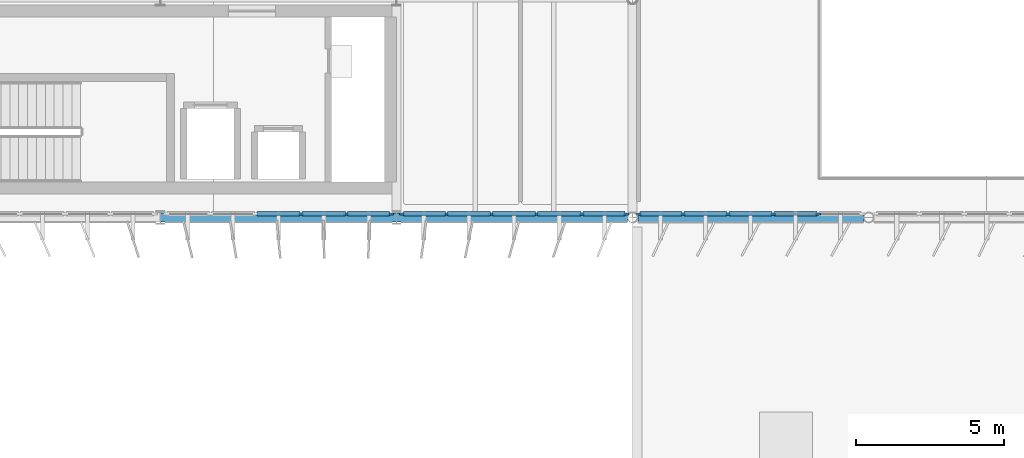
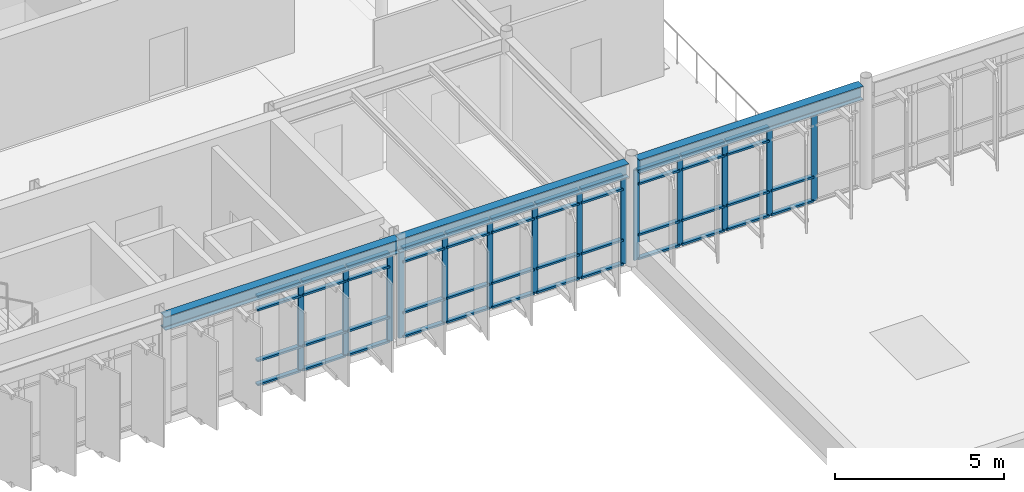
# One storey, part 13 of 56: 60 members, 3 beams, 3 elements without a shape of their own.
"""IFC4 building model written with IfcOpenShell, lengths in metres."""

from ifc_helpers import new_model, si_unit, direction, frame, origin, origin_2d, place, context, subcontext, project, spatial, rectangle, i_section, extrude, material, layer, layer_set, material_profile, profile_set, type_object, element, aggregate, save


model = new_model("IFC4")

# Units and contexts
model_context = context("Model", 3, precision=1e-05, world=origin(), true_north=direction((0.0, 1.0)))
body_context = subcontext(model_context, "Body", "Model", "MODEL_VIEW")
ifc_project = project(units=[si_unit("LENGTHUNIT", "METRE"), si_unit("AREAUNIT", "SQUARE_METRE"), si_unit("VOLUMEUNIT", "CUBIC_METRE"), si_unit("PLANEANGLEUNIT", "RADIAN"), si_unit("MASSUNIT", "GRAM", prefix="KILO")], contexts=[model_context])

# Site, building, storey
site_placement = place(None, origin())
site = spatial("IfcSite", under=ifc_project, at=site_placement, CompositionType="ELEMENT")
building_placement = place(site_placement, origin())
building = spatial("IfcBuilding", under=site, at=building_placement, Name="Valkorina Park Police Headquarters", CompositionType="ELEMENT")
storey_placement = place(building_placement, frame((0.0, 0.0, 14.10009765625)))
storey = spatial("IfcBuildingStorey", under=building, at=storey_placement, Name="L04", CompositionType="ELEMENT", Elevation=14.10009765625)

# Beams
ifc_material_1 = material(Name="Steel S355", Category="steel")
ifc_material_profile_1 = material_profile(ifc_material_1, i_section(OverallWidth=0.300048828125, OverallDepth=0.489990234375, WebThickness=0.011962890625, FlangeThickness=0.02294921875, FilletRadius=0.027099609375, at=origin_2d()), Name="HEA 500")
ifc_profile_set_1 = profile_set([ifc_material_profile_1], Name="Steel S355")
beam_type = type_object("IfcBeamType", Name="BM-S355-HEA500-SPN", PredefinedType="SPANDREL", material=ifc_profile_set_1)
beam_1_placement = place(storey_placement, frame((40.806884765625, 37.0, 3.510009765625), z_axis=(1.0, 0.0, 0.0), x_axis=(0.0, 1.0, 0.0)))
element("IfcBeam", 1, at=beam_1_placement, inside=storey, type_object=beam_type, Name="L04 Framing Beam 2219", PredefinedType="SPANDREL", context=body_context, shape_type="SweptSolid", body=[
    extrude(i_section(OverallWidth=0.300048828125, OverallDepth=0.489990234375, WebThickness=0.011962890625, FlangeThickness=0.02294921875, FilletRadius=0.027099609375, at=origin_2d()), origin(), (0.0, 0.0, 1.0), 7.986083984375),
])
beam_2_placement = place(storey_placement, frame((48.806884765625, 37.0, 3.510009765625), z_axis=(1.0, 0.0, 0.0), x_axis=(0.0, 1.0, 0.0)))
element("IfcBeam", 2, at=beam_2_placement, inside=storey, type_object=beam_type, Name="L04 Framing Beam 2220", PredefinedType="SPANDREL", context=body_context, shape_type="SweptSolid", body=[
    extrude(i_section(OverallWidth=0.300048828125, OverallDepth=0.489990234375, WebThickness=0.011962890625, FlangeThickness=0.02294921875, FilletRadius=0.027099609375, at=origin_2d()), origin(), (0.0, 0.0, 1.0), 7.8154296875),
])
beam_3_placement = place(storey_placement, frame((56.977783203125, 37.0, 3.510009765625), z_axis=(1.0, 0.0, 0.0), x_axis=(0.0, 1.0, 0.0)))
element("IfcBeam", 3, at=beam_3_placement, inside=storey, type_object=beam_type, Name="L04 Framing Beam 2221", PredefinedType="SPANDREL", context=body_context, shape_type="SweptSolid", body=[
    extrude(i_section(OverallWidth=0.300048828125, OverallDepth=0.489990234375, WebThickness=0.011962890625, FlangeThickness=0.02294921875, FilletRadius=0.027099609375, at=origin_2d()), origin(), (0.0, 0.0, 1.0), 7.64453125),
])

# Curtain wall, members
ifc_material_2 = material(Name="Thermally broken aluminium AW-6060", Category="aluminium")
ifc_layer_1 = layer(ifc_material_2, 0.18994140625)
ifc_layer_set_1 = layer_set([ifc_layer_1], Name="Thermally broken aluminium AW-6060")
curtain_wall_type_1 = type_object("IfcCurtainWallType", Name="CW-V5-7620x3260", PredefinedType="NOTDEFINED", material=ifc_layer_set_1)
curtain_wall_1_placement = place(storey_placement, origin())
curtain_wall_1 = element("IfcCurtainWall", 4, at=curtain_wall_1_placement, inside=storey, type_object=curtain_wall_type_1, Name="L04 Unitised Curtain Wall 050", PredefinedType="NOTDEFINED")
ifc_material_profile_2 = material_profile(ifc_material_2, rectangle(XDim=0.070068359375, YDim=0.18994140625, at=origin_2d()), Name="CWM-02 70x190")
ifc_profile_set_2 = profile_set([ifc_material_profile_2], Name="Thermally broken aluminium AW-6060")
member_type_1 = type_object("IfcMemberType", Name="CWM-70x190", PredefinedType="MULLION", material=ifc_profile_set_2)
member_1_placement = place(storey_placement, frame((63.08740234375, 37.1201171875, 0.0), z_axis=(0.0, 0.0, 1.0), x_axis=(0.0, -1.0, 0.0)))
member_1 = element("IfcMember", 5, at=member_1_placement, type_object=member_type_1, Name="CW-V5-762-326 mullion 2", PredefinedType="MULLION", context=body_context, shape_type="SweptSolid", body=[
    extrude(rectangle(XDim=0.070068359375, YDim=0.18994140625, at=origin_2d()), origin(), (0.0, 0.0, 1.0), 3.2548828125),
])
member_2_placement = place(storey_placement, frame((61.5625, 37.1201171875, 0.0), z_axis=(0.0, 0.0, 1.0), x_axis=(0.0, -1.0, 0.0)))
member_2 = element("IfcMember", 6, at=member_2_placement, type_object=member_type_1, Name="CW-V5-762-326 mullion 3", PredefinedType="MULLION", context=body_context, shape_type="SweptSolid", body=[
    extrude(rectangle(XDim=0.070068359375, YDim=0.18994140625, at=origin_2d()), origin(), (0.0, 0.0, 1.0), 3.2548828125),
])
member_3_placement = place(storey_placement, frame((60.03759765625, 37.1201171875, 0.0), z_axis=(0.0, 0.0, 1.0), x_axis=(0.0, -1.0, 0.0)))
member_3 = element("IfcMember", 7, at=member_3_placement, type_object=member_type_1, Name="CW-V5-762-326 mullion 4", PredefinedType="MULLION", context=body_context, shape_type="SweptSolid", body=[
    extrude(rectangle(XDim=0.070068359375, YDim=0.18994140625, at=origin_2d()), origin(), (0.0, 0.0, 1.0), 3.2548828125),
])
member_4_placement = place(storey_placement, frame((58.5126953125, 37.1201171875, 0.0), z_axis=(0.0, 0.0, 1.0), x_axis=(0.0, -1.0, 0.0)))
member_4 = element("IfcMember", 8, at=member_4_placement, type_object=member_type_1, Name="CW-V5-762-326 mullion 5", PredefinedType="MULLION", context=body_context, shape_type="SweptSolid", body=[
    extrude(rectangle(XDim=0.070068359375, YDim=0.18994140625, at=origin_2d()), origin(), (0.0, 0.0, 1.0), 3.2548828125),
])
member_5_placement = place(storey_placement, frame((57.022705078125, 37.1201171875, 0.0), z_axis=(0.0, 0.0, 1.0), x_axis=(0.0, -1.0, 0.0)))
member_5 = element("IfcMember", 9, at=member_5_placement, type_object=member_type_1, Name="CW-V5-762-326 mullion 6", PredefinedType="MULLION", context=body_context, shape_type="SweptSolid", body=[
    extrude(rectangle(XDim=0.070068359375, YDim=0.18994140625, at=origin_2d()), origin(), (0.0, 0.0, 1.0), 3.2548828125),
])

ifc_layer_2 = layer(ifc_material_2, 0.18994140625)
ifc_layer_set_2 = layer_set([ifc_layer_2], Name="Thermally broken aluminium AW-6060")
curtain_wall_type_2 = type_object("IfcCurtainWallType", Name="CW-V5-7650x3260", PredefinedType="NOTDEFINED", material=ifc_layer_set_2)
curtain_wall_2_placement = place(storey_placement, origin())
curtain_wall_2 = element("IfcCurtainWall", 10, at=curtain_wall_2_placement, inside=storey, type_object=curtain_wall_type_2, Name="L04 Unitised Curtain Wall 051", PredefinedType="NOTDEFINED")
member_6_placement = place(storey_placement, frame((56.5771484375, 37.1201171875, 0.0), z_axis=(0.0, 0.0, 1.0), x_axis=(0.0, -1.0, 0.0)))
member_6 = element("IfcMember", 11, at=member_6_placement, type_object=member_type_1, Name="CW-V5-765-326 mullion 1", PredefinedType="MULLION", context=body_context, shape_type="SweptSolid", body=[
    extrude(rectangle(XDim=0.070068359375, YDim=0.18994140625, at=origin_2d()), origin(), (0.0, 0.0, 1.0), 3.2548828125),
])
member_7_placement = place(storey_placement, frame((55.081787109375, 37.1201171875, 0.0), z_axis=(0.0, 0.0, 1.0), x_axis=(0.0, -1.0, 0.0)))
member_7 = element("IfcMember", 12, at=member_7_placement, type_object=member_type_1, Name="CW-V5-765-326 mullion 2", PredefinedType="MULLION", context=body_context, shape_type="SweptSolid", body=[
    extrude(rectangle(XDim=0.070068359375, YDim=0.18994140625, at=origin_2d()), origin(), (0.0, 0.0, 1.0), 3.2548828125),
])
member_8_placement = place(storey_placement, frame((53.55126953125, 37.1201171875, 0.0), z_axis=(0.0, 0.0, 1.0), x_axis=(0.0, -1.0, 0.0)))
member_8 = element("IfcMember", 13, at=member_8_placement, type_object=member_type_1, Name="CW-V5-765-326 mullion 3", PredefinedType="MULLION", context=body_context, shape_type="SweptSolid", body=[
    extrude(rectangle(XDim=0.070068359375, YDim=0.18994140625, at=origin_2d()), origin(), (0.0, 0.0, 1.0), 3.2548828125),
])
member_9_placement = place(storey_placement, frame((52.02099609375, 37.1201171875, 0.0), z_axis=(0.0, 0.0, 1.0), x_axis=(0.0, -1.0, 0.0)))
member_9 = element("IfcMember", 14, at=member_9_placement, type_object=member_type_1, Name="CW-V5-765-326 mullion 4", PredefinedType="MULLION", context=body_context, shape_type="SweptSolid", body=[
    extrude(rectangle(XDim=0.070068359375, YDim=0.18994140625, at=origin_2d()), origin(), (0.0, 0.0, 1.0), 3.2548828125),
])
member_10_placement = place(storey_placement, frame((50.490478515625, 37.1201171875, 0.0), z_axis=(0.0, 0.0, 1.0), x_axis=(0.0, -1.0, 0.0)))
member_10 = element("IfcMember", 15, at=member_10_placement, type_object=member_type_1, Name="CW-V5-765-326 mullion 5", PredefinedType="MULLION", context=body_context, shape_type="SweptSolid", body=[
    extrude(rectangle(XDim=0.070068359375, YDim=0.18994140625, at=origin_2d()), origin(), (0.0, 0.0, 1.0), 3.2548828125),
])
member_11_placement = place(storey_placement, frame((48.9951171875, 37.1201171875, 0.0), z_axis=(0.0, 0.0, 1.0), x_axis=(0.0, -1.0, 0.0)))
member_11 = element("IfcMember", 16, at=member_11_placement, type_object=member_type_1, Name="CW-V5-765-326 mullion 6", PredefinedType="MULLION", context=body_context, shape_type="SweptSolid", body=[
    extrude(rectangle(XDim=0.070068359375, YDim=0.18994140625, at=origin_2d()), origin(), (0.0, 0.0, 1.0), 3.2548828125),
])

ifc_layer_3 = layer(ifc_material_2, 0.18994140625)
ifc_layer_set_3 = layer_set([ifc_layer_3], Name="Thermally broken aluminium AW-6060")
curtain_wall_type_3 = type_object("IfcCurtainWallType", Name="CW-V5-7680x3260", PredefinedType="NOTDEFINED", material=ifc_layer_set_3)
curtain_wall_3_placement = place(storey_placement, origin())
curtain_wall_3 = element("IfcCurtainWall", 17, at=curtain_wall_3_placement, inside=storey, type_object=curtain_wall_type_3, Name="L04 Unitised Curtain Wall 052", PredefinedType="NOTDEFINED")
member_12_placement = place(storey_placement, frame((48.60498046875, 37.1201171875, 0.0), z_axis=(0.0, 0.0, 1.0), x_axis=(0.0, -1.0, 0.0)))
member_12 = element("IfcMember", 18, at=member_12_placement, type_object=member_type_1, Name="CW-V5-768-326 mullion 1", PredefinedType="MULLION", context=body_context, shape_type="SweptSolid", body=[
    extrude(rectangle(XDim=0.070068359375, YDim=0.18994140625, at=origin_2d()), origin(), (0.0, 0.0, 1.0), 3.2548828125),
])
member_13_placement = place(storey_placement, frame((47.10400390625, 37.1201171875, 0.0), z_axis=(0.0, 0.0, 1.0), x_axis=(0.0, -1.0, 0.0)))
member_13 = element("IfcMember", 19, at=member_13_placement, type_object=member_type_1, Name="CW-V5-768-326 mullion 2", PredefinedType="MULLION", context=body_context, shape_type="SweptSolid", body=[
    extrude(rectangle(XDim=0.070068359375, YDim=0.18994140625, at=origin_2d()), origin(), (0.0, 0.0, 1.0), 3.2548828125),
])
member_14_placement = place(storey_placement, frame((45.568115234375, 37.1201171875, 0.0), z_axis=(0.0, 0.0, 1.0), x_axis=(0.0, -1.0, 0.0)))
member_14 = element("IfcMember", 20, at=member_14_placement, type_object=member_type_1, Name="CW-V5-768-326 mullion 3", PredefinedType="MULLION", context=body_context, shape_type="SweptSolid", body=[
    extrude(rectangle(XDim=0.070068359375, YDim=0.18994140625, at=origin_2d()), origin(), (0.0, 0.0, 1.0), 3.2548828125),
])

# Member
ifc_material_profile_3 = material_profile(ifc_material_2, rectangle(XDim=0.14990234375, YDim=0.070068359375, at=origin_2d()), Name="CWT-02 150x70")
ifc_profile_set_3 = profile_set([ifc_material_profile_3], Name="Thermally broken aluminium AW-6060")
member_type_2 = type_object("IfcMemberType", Name="CWT-150x70", PredefinedType="USERDEFINED", material=ifc_profile_set_3)
member_15_placement = place(storey_placement, frame((63.05224609375, 37.1201171875, 0.034912109375), z_axis=(-1.0, 0.0, 0.0), x_axis=(0.0, -1.0, 0.0)))
member_15 = element("IfcMember", 21, at=member_15_placement, type_object=member_type_2, Name="CW-V5-762-326 transom 2.1", ObjectType="TRANSOM", PredefinedType="USERDEFINED", context=body_context, shape_type="SweptSolid", body=[
    extrude(rectangle(XDim=0.14990234375, YDim=0.070068359375, at=origin_2d()), origin(), (0.0, 0.0, 1.0), 1.454833984375),
])

member_16_placement = place(storey_placement, frame((63.05224609375, 37.1201171875, 0.89990234375), z_axis=(-1.0, 0.0, 0.0), x_axis=(0.0, -1.0, 0.0)))
member_16 = element("IfcMember", 22, at=member_16_placement, type_object=member_type_2, Name="CW-V5-762-326 transom 2.2", ObjectType="TRANSOM", PredefinedType="USERDEFINED", context=body_context, shape_type="SweptSolid", body=[
    extrude(rectangle(XDim=0.14990234375, YDim=0.070068359375, at=origin_2d()), origin(), (0.0, 0.0, 1.0), 1.454833984375),
])

member_17_placement = place(storey_placement, frame((61.52734375, 37.1201171875, 0.034912109375), z_axis=(-1.0, 0.0, 0.0), x_axis=(0.0, -1.0, 0.0)))
member_17 = element("IfcMember", 23, at=member_17_placement, type_object=member_type_2, Name="CW-V5-762-326 transom 3.1", ObjectType="TRANSOM", PredefinedType="USERDEFINED", context=body_context, shape_type="SweptSolid", body=[
    extrude(rectangle(XDim=0.14990234375, YDim=0.070068359375, at=origin_2d()), origin(), (0.0, 0.0, 1.0), 1.454833984375),
])

member_18_placement = place(storey_placement, frame((61.52734375, 37.1201171875, 0.89990234375), z_axis=(-1.0, 0.0, 0.0), x_axis=(0.0, -1.0, 0.0)))
member_18 = element("IfcMember", 24, at=member_18_placement, type_object=member_type_2, Name="CW-V5-762-326 transom 3.2", ObjectType="TRANSOM", PredefinedType="USERDEFINED", context=body_context, shape_type="SweptSolid", body=[
    extrude(rectangle(XDim=0.14990234375, YDim=0.070068359375, at=origin_2d()), origin(), (0.0, 0.0, 1.0), 1.454833984375),
])

member_19_placement = place(storey_placement, frame((61.52734375, 37.1201171875, 2.73486328125), z_axis=(-1.0, 0.0, 0.0), x_axis=(0.0, -1.0, 0.0)))
member_19 = element("IfcMember", 25, at=member_19_placement, type_object=member_type_2, Name="CW-V5-762-326 transom 3.3", ObjectType="TRANSOM", PredefinedType="USERDEFINED", context=body_context, shape_type="SweptSolid", body=[
    extrude(rectangle(XDim=0.14990234375, YDim=0.070068359375, at=origin_2d()), origin(), (0.0, 0.0, 1.0), 1.454833984375),
])

member_20_placement = place(storey_placement, frame((61.52734375, 37.1201171875, 3.219970703125), z_axis=(-1.0, 0.0, 0.0), x_axis=(0.0, -1.0, 0.0)))
member_20 = element("IfcMember", 26, at=member_20_placement, type_object=member_type_2, Name="CW-V5-762-326 transom 3.4", ObjectType="TRANSOM", PredefinedType="USERDEFINED", context=body_context, shape_type="SweptSolid", body=[
    extrude(rectangle(XDim=0.14990234375, YDim=0.070068359375, at=origin_2d()), origin(), (0.0, 0.0, 1.0), 1.454833984375),
])

member_21_placement = place(storey_placement, frame((60.00244140625, 37.1201171875, 0.034912109375), z_axis=(-1.0, 0.0, 0.0), x_axis=(0.0, -1.0, 0.0)))
member_21 = element("IfcMember", 27, at=member_21_placement, type_object=member_type_2, Name="CW-V5-762-326 transom 4.1", ObjectType="TRANSOM", PredefinedType="USERDEFINED", context=body_context, shape_type="SweptSolid", body=[
    extrude(rectangle(XDim=0.14990234375, YDim=0.070068359375, at=origin_2d()), origin(), (0.0, 0.0, 1.0), 1.454833984375),
])

member_22_placement = place(storey_placement, frame((60.00244140625, 37.1201171875, 0.89990234375), z_axis=(-1.0, 0.0, 0.0), x_axis=(0.0, -1.0, 0.0)))
member_22 = element("IfcMember", 28, at=member_22_placement, type_object=member_type_2, Name="CW-V5-762-326 transom 4.2", ObjectType="TRANSOM", PredefinedType="USERDEFINED", context=body_context, shape_type="SweptSolid", body=[
    extrude(rectangle(XDim=0.14990234375, YDim=0.070068359375, at=origin_2d()), origin(), (0.0, 0.0, 1.0), 1.454833984375),
])

member_23_placement = place(storey_placement, frame((60.00244140625, 37.1201171875, 2.73486328125), z_axis=(-1.0, 0.0, 0.0), x_axis=(0.0, -1.0, 0.0)))
member_23 = element("IfcMember", 29, at=member_23_placement, type_object=member_type_2, Name="CW-V5-762-326 transom 4.3", ObjectType="TRANSOM", PredefinedType="USERDEFINED", context=body_context, shape_type="SweptSolid", body=[
    extrude(rectangle(XDim=0.14990234375, YDim=0.070068359375, at=origin_2d()), origin(), (0.0, 0.0, 1.0), 1.454833984375),
])

member_24_placement = place(storey_placement, frame((60.00244140625, 37.1201171875, 3.219970703125), z_axis=(-1.0, 0.0, 0.0), x_axis=(0.0, -1.0, 0.0)))
member_24 = element("IfcMember", 30, at=member_24_placement, type_object=member_type_2, Name="CW-V5-762-326 transom 4.4", ObjectType="TRANSOM", PredefinedType="USERDEFINED", context=body_context, shape_type="SweptSolid", body=[
    extrude(rectangle(XDim=0.14990234375, YDim=0.070068359375, at=origin_2d()), origin(), (0.0, 0.0, 1.0), 1.454833984375),
])

member_25_placement = place(storey_placement, frame((58.477783203125, 37.1201171875, 0.034912109375), z_axis=(-1.0, 0.0, 0.0), x_axis=(0.0, -1.0, 0.0)))
member_25 = element("IfcMember", 31, at=member_25_placement, type_object=member_type_2, Name="CW-V5-762-326 transom 5.1", ObjectType="TRANSOM", PredefinedType="USERDEFINED", context=body_context, shape_type="SweptSolid", body=[
    extrude(rectangle(XDim=0.14990234375, YDim=0.070068359375, at=origin_2d()), origin(), (0.0, 0.0, 1.0), 1.419921875),
])

member_26_placement = place(storey_placement, frame((58.477783203125, 37.1201171875, 0.89990234375), z_axis=(-1.0, 0.0, 0.0), x_axis=(0.0, -1.0, 0.0)))
member_26 = element("IfcMember", 32, at=member_26_placement, type_object=member_type_2, Name="CW-V5-762-326 transom 5.2", ObjectType="TRANSOM", PredefinedType="USERDEFINED", context=body_context, shape_type="SweptSolid", body=[
    extrude(rectangle(XDim=0.14990234375, YDim=0.070068359375, at=origin_2d()), origin(), (0.0, 0.0, 1.0), 1.419921875),
])

member_27_placement = place(storey_placement, frame((58.477783203125, 37.1201171875, 2.73486328125), z_axis=(-1.0, 0.0, 0.0), x_axis=(0.0, -1.0, 0.0)))
member_27 = element("IfcMember", 33, at=member_27_placement, type_object=member_type_2, Name="CW-V5-762-326 transom 5.3", ObjectType="TRANSOM", PredefinedType="USERDEFINED", context=body_context, shape_type="SweptSolid", body=[
    extrude(rectangle(XDim=0.14990234375, YDim=0.070068359375, at=origin_2d()), origin(), (0.0, 0.0, 1.0), 1.419921875),
])

member_28_placement = place(storey_placement, frame((58.477783203125, 37.1201171875, 3.219970703125), z_axis=(-1.0, 0.0, 0.0), x_axis=(0.0, -1.0, 0.0)))
member_28 = element("IfcMember", 34, at=member_28_placement, type_object=member_type_2, Name="CW-V5-762-326 transom 5.4", ObjectType="TRANSOM", PredefinedType="USERDEFINED", context=body_context, shape_type="SweptSolid", body=[
    extrude(rectangle(XDim=0.14990234375, YDim=0.070068359375, at=origin_2d()), origin(), (0.0, 0.0, 1.0), 1.419921875),
])

aggregate(curtain_wall_1, [member_1, member_2, member_3, member_4, member_5, member_15, member_16, member_17, member_18, member_19, member_20, member_21, member_22, member_23, member_24, member_25, member_26, member_27, member_28])

member_29_placement = place(storey_placement, frame((56.542236328125, 37.1201171875, 0.034912109375), z_axis=(-1.0, 0.0, 0.0), x_axis=(0.0, -1.0, 0.0)))
member_29 = element("IfcMember", 35, at=member_29_placement, type_object=member_type_2, Name="CW-V5-765-326 transom 1.1", ObjectType="TRANSOM", PredefinedType="USERDEFINED", context=body_context, shape_type="SweptSolid", body=[
    extrude(rectangle(XDim=0.14990234375, YDim=0.070068359375, at=origin_2d()), origin(), (0.0, 0.0, 1.0), 1.425537109375),
])

member_30_placement = place(storey_placement, frame((56.542236328125, 37.1201171875, 0.89990234375), z_axis=(-1.0, 0.0, 0.0), x_axis=(0.0, -1.0, 0.0)))
member_30 = element("IfcMember", 36, at=member_30_placement, type_object=member_type_2, Name="CW-V5-765-326 transom 1.2", ObjectType="TRANSOM", PredefinedType="USERDEFINED", context=body_context, shape_type="SweptSolid", body=[
    extrude(rectangle(XDim=0.14990234375, YDim=0.070068359375, at=origin_2d()), origin(), (0.0, 0.0, 1.0), 1.425537109375),
])

member_31_placement = place(storey_placement, frame((56.542236328125, 37.1201171875, 2.73486328125), z_axis=(-1.0, 0.0, 0.0), x_axis=(0.0, -1.0, 0.0)))
member_31 = element("IfcMember", 37, at=member_31_placement, type_object=member_type_2, Name="CW-V5-765-326 transom 1.3", ObjectType="TRANSOM", PredefinedType="USERDEFINED", context=body_context, shape_type="SweptSolid", body=[
    extrude(rectangle(XDim=0.14990234375, YDim=0.070068359375, at=origin_2d()), origin(), (0.0, 0.0, 1.0), 1.425537109375),
])

member_32_placement = place(storey_placement, frame((56.542236328125, 37.1201171875, 3.219970703125), z_axis=(-1.0, 0.0, 0.0), x_axis=(0.0, -1.0, 0.0)))
member_32 = element("IfcMember", 38, at=member_32_placement, type_object=member_type_2, Name="CW-V5-765-326 transom 1.4", ObjectType="TRANSOM", PredefinedType="USERDEFINED", context=body_context, shape_type="SweptSolid", body=[
    extrude(rectangle(XDim=0.14990234375, YDim=0.070068359375, at=origin_2d()), origin(), (0.0, 0.0, 1.0), 1.425537109375),
])

member_33_placement = place(storey_placement, frame((55.046875, 37.1201171875, 0.034912109375), z_axis=(-1.0, 0.0, 0.0), x_axis=(0.0, -1.0, 0.0)))
member_33 = element("IfcMember", 39, at=member_33_placement, type_object=member_type_2, Name="CW-V5-765-326 transom 2.1", ObjectType="TRANSOM", PredefinedType="USERDEFINED", context=body_context, shape_type="SweptSolid", body=[
    extrude(rectangle(XDim=0.14990234375, YDim=0.070068359375, at=origin_2d()), origin(), (0.0, 0.0, 1.0), 1.46044921875),
])

member_34_placement = place(storey_placement, frame((55.046875, 37.1201171875, 0.89990234375), z_axis=(-1.0, 0.0, 0.0), x_axis=(0.0, -1.0, 0.0)))
member_34 = element("IfcMember", 40, at=member_34_placement, type_object=member_type_2, Name="CW-V5-765-326 transom 2.2", ObjectType="TRANSOM", PredefinedType="USERDEFINED", context=body_context, shape_type="SweptSolid", body=[
    extrude(rectangle(XDim=0.14990234375, YDim=0.070068359375, at=origin_2d()), origin(), (0.0, 0.0, 1.0), 1.46044921875),
])

member_35_placement = place(storey_placement, frame((55.046875, 37.1201171875, 2.73486328125), z_axis=(-1.0, 0.0, 0.0), x_axis=(0.0, -1.0, 0.0)))
member_35 = element("IfcMember", 41, at=member_35_placement, type_object=member_type_2, Name="CW-V5-765-326 transom 2.3", ObjectType="TRANSOM", PredefinedType="USERDEFINED", context=body_context, shape_type="SweptSolid", body=[
    extrude(rectangle(XDim=0.14990234375, YDim=0.070068359375, at=origin_2d()), origin(), (0.0, 0.0, 1.0), 1.46044921875),
])

member_36_placement = place(storey_placement, frame((55.046875, 37.1201171875, 3.219970703125), z_axis=(-1.0, 0.0, 0.0), x_axis=(0.0, -1.0, 0.0)))
member_36 = element("IfcMember", 42, at=member_36_placement, type_object=member_type_2, Name="CW-V5-765-326 transom 2.4", ObjectType="TRANSOM", PredefinedType="USERDEFINED", context=body_context, shape_type="SweptSolid", body=[
    extrude(rectangle(XDim=0.14990234375, YDim=0.070068359375, at=origin_2d()), origin(), (0.0, 0.0, 1.0), 1.46044921875),
])

member_37_placement = place(storey_placement, frame((53.516357421875, 37.1201171875, 0.034912109375), z_axis=(-1.0, 0.0, 0.0), x_axis=(0.0, -1.0, 0.0)))
member_37 = element("IfcMember", 43, at=member_37_placement, type_object=member_type_2, Name="CW-V5-765-326 transom 3.1", ObjectType="TRANSOM", PredefinedType="USERDEFINED", context=body_context, shape_type="SweptSolid", body=[
    extrude(rectangle(XDim=0.14990234375, YDim=0.070068359375, at=origin_2d()), origin(), (0.0, 0.0, 1.0), 1.46044921875),
])

member_38_placement = place(storey_placement, frame((53.516357421875, 37.1201171875, 0.89990234375), z_axis=(-1.0, 0.0, 0.0), x_axis=(0.0, -1.0, 0.0)))
member_38 = element("IfcMember", 44, at=member_38_placement, type_object=member_type_2, Name="CW-V5-765-326 transom 3.2", ObjectType="TRANSOM", PredefinedType="USERDEFINED", context=body_context, shape_type="SweptSolid", body=[
    extrude(rectangle(XDim=0.14990234375, YDim=0.070068359375, at=origin_2d()), origin(), (0.0, 0.0, 1.0), 1.46044921875),
])

member_39_placement = place(storey_placement, frame((53.516357421875, 37.1201171875, 2.73486328125), z_axis=(-1.0, 0.0, 0.0), x_axis=(0.0, -1.0, 0.0)))
member_39 = element("IfcMember", 45, at=member_39_placement, type_object=member_type_2, Name="CW-V5-765-326 transom 3.3", ObjectType="TRANSOM", PredefinedType="USERDEFINED", context=body_context, shape_type="SweptSolid", body=[
    extrude(rectangle(XDim=0.14990234375, YDim=0.070068359375, at=origin_2d()), origin(), (0.0, 0.0, 1.0), 1.46044921875),
])

member_40_placement = place(storey_placement, frame((53.516357421875, 37.1201171875, 3.219970703125), z_axis=(-1.0, 0.0, 0.0), x_axis=(0.0, -1.0, 0.0)))
member_40 = element("IfcMember", 46, at=member_40_placement, type_object=member_type_2, Name="CW-V5-765-326 transom 3.4", ObjectType="TRANSOM", PredefinedType="USERDEFINED", context=body_context, shape_type="SweptSolid", body=[
    extrude(rectangle(XDim=0.14990234375, YDim=0.070068359375, at=origin_2d()), origin(), (0.0, 0.0, 1.0), 1.46044921875),
])

member_41_placement = place(storey_placement, frame((51.98583984375, 37.1201171875, 0.034912109375), z_axis=(-1.0, 0.0, 0.0), x_axis=(0.0, -1.0, 0.0)))
member_41 = element("IfcMember", 47, at=member_41_placement, type_object=member_type_2, Name="CW-V5-765-326 transom 4.1", ObjectType="TRANSOM", PredefinedType="USERDEFINED", context=body_context, shape_type="SweptSolid", body=[
    extrude(rectangle(XDim=0.14990234375, YDim=0.070068359375, at=origin_2d()), origin(), (0.0, 0.0, 1.0), 1.46044921875),
])

member_42_placement = place(storey_placement, frame((51.98583984375, 37.1201171875, 0.89990234375), z_axis=(-1.0, 0.0, 0.0), x_axis=(0.0, -1.0, 0.0)))
member_42 = element("IfcMember", 48, at=member_42_placement, type_object=member_type_2, Name="CW-V5-765-326 transom 4.2", ObjectType="TRANSOM", PredefinedType="USERDEFINED", context=body_context, shape_type="SweptSolid", body=[
    extrude(rectangle(XDim=0.14990234375, YDim=0.070068359375, at=origin_2d()), origin(), (0.0, 0.0, 1.0), 1.46044921875),
])

member_43_placement = place(storey_placement, frame((51.98583984375, 37.1201171875, 2.73486328125), z_axis=(-1.0, 0.0, 0.0), x_axis=(0.0, -1.0, 0.0)))
member_43 = element("IfcMember", 49, at=member_43_placement, type_object=member_type_2, Name="CW-V5-765-326 transom 4.3", ObjectType="TRANSOM", PredefinedType="USERDEFINED", context=body_context, shape_type="SweptSolid", body=[
    extrude(rectangle(XDim=0.14990234375, YDim=0.070068359375, at=origin_2d()), origin(), (0.0, 0.0, 1.0), 1.46044921875),
])

member_44_placement = place(storey_placement, frame((51.98583984375, 37.1201171875, 3.219970703125), z_axis=(-1.0, 0.0, 0.0), x_axis=(0.0, -1.0, 0.0)))
member_44 = element("IfcMember", 50, at=member_44_placement, type_object=member_type_2, Name="CW-V5-765-326 transom 4.4", ObjectType="TRANSOM", PredefinedType="USERDEFINED", context=body_context, shape_type="SweptSolid", body=[
    extrude(rectangle(XDim=0.14990234375, YDim=0.070068359375, at=origin_2d()), origin(), (0.0, 0.0, 1.0), 1.46044921875),
])

member_45_placement = place(storey_placement, frame((50.455322265625, 37.1201171875, 0.034912109375), z_axis=(-1.0, 0.0, 0.0), x_axis=(0.0, -1.0, 0.0)))
member_45 = element("IfcMember", 51, at=member_45_placement, type_object=member_type_2, Name="CW-V5-765-326 transom 5.1", ObjectType="TRANSOM", PredefinedType="USERDEFINED", context=body_context, shape_type="SweptSolid", body=[
    extrude(rectangle(XDim=0.14990234375, YDim=0.070068359375, at=origin_2d()), origin(), (0.0, 0.0, 1.0), 1.42529296875),
])

member_46_placement = place(storey_placement, frame((50.455322265625, 37.1201171875, 0.89990234375), z_axis=(-1.0, 0.0, 0.0), x_axis=(0.0, -1.0, 0.0)))
member_46 = element("IfcMember", 52, at=member_46_placement, type_object=member_type_2, Name="CW-V5-765-326 transom 5.2", ObjectType="TRANSOM", PredefinedType="USERDEFINED", context=body_context, shape_type="SweptSolid", body=[
    extrude(rectangle(XDim=0.14990234375, YDim=0.070068359375, at=origin_2d()), origin(), (0.0, 0.0, 1.0), 1.42529296875),
])

member_47_placement = place(storey_placement, frame((50.455322265625, 37.1201171875, 2.73486328125), z_axis=(-1.0, 0.0, 0.0), x_axis=(0.0, -1.0, 0.0)))
member_47 = element("IfcMember", 53, at=member_47_placement, type_object=member_type_2, Name="CW-V5-765-326 transom 5.3", ObjectType="TRANSOM", PredefinedType="USERDEFINED", context=body_context, shape_type="SweptSolid", body=[
    extrude(rectangle(XDim=0.14990234375, YDim=0.070068359375, at=origin_2d()), origin(), (0.0, 0.0, 1.0), 1.42529296875),
])

member_48_placement = place(storey_placement, frame((50.455322265625, 37.1201171875, 3.219970703125), z_axis=(-1.0, 0.0, 0.0), x_axis=(0.0, -1.0, 0.0)))
member_48 = element("IfcMember", 54, at=member_48_placement, type_object=member_type_2, Name="CW-V5-765-326 transom 5.4", ObjectType="TRANSOM", PredefinedType="USERDEFINED", context=body_context, shape_type="SweptSolid", body=[
    extrude(rectangle(XDim=0.14990234375, YDim=0.070068359375, at=origin_2d()), origin(), (0.0, 0.0, 1.0), 1.42529296875),
])

aggregate(curtain_wall_2, [member_6, member_7, member_8, member_9, member_10, member_11, member_29, member_30, member_31, member_32, member_33, member_34, member_35, member_36, member_37, member_38, member_39, member_40, member_41, member_42, member_43, member_44, member_45, member_46, member_47, member_48])

member_49_placement = place(storey_placement, frame((48.570068359375, 37.1201171875, 0.034912109375), z_axis=(-1.0, 0.0, 0.0), x_axis=(0.0, -1.0, 0.0)))
member_49 = element("IfcMember", 55, at=member_49_placement, type_object=member_type_2, Name="CW-V5-768-326 transom 1.1", ObjectType="TRANSOM", PredefinedType="USERDEFINED", context=body_context, shape_type="SweptSolid", body=[
    extrude(rectangle(XDim=0.14990234375, YDim=0.070068359375, at=origin_2d()), origin(), (0.0, 0.0, 1.0), 1.43115234375),
])

member_50_placement = place(storey_placement, frame((48.570068359375, 37.1201171875, 0.89990234375), z_axis=(-1.0, 0.0, 0.0), x_axis=(0.0, -1.0, 0.0)))
member_50 = element("IfcMember", 56, at=member_50_placement, type_object=member_type_2, Name="CW-V5-768-326 transom 1.2", ObjectType="TRANSOM", PredefinedType="USERDEFINED", context=body_context, shape_type="SweptSolid", body=[
    extrude(rectangle(XDim=0.14990234375, YDim=0.070068359375, at=origin_2d()), origin(), (0.0, 0.0, 1.0), 1.43115234375),
])

member_51_placement = place(storey_placement, frame((48.570068359375, 37.1201171875, 2.73486328125), z_axis=(-1.0, 0.0, 0.0), x_axis=(0.0, -1.0, 0.0)))
member_51 = element("IfcMember", 57, at=member_51_placement, type_object=member_type_2, Name="CW-V5-768-326 transom 1.3", ObjectType="TRANSOM", PredefinedType="USERDEFINED", context=body_context, shape_type="SweptSolid", body=[
    extrude(rectangle(XDim=0.14990234375, YDim=0.070068359375, at=origin_2d()), origin(), (0.0, 0.0, 1.0), 1.43115234375),
])

member_52_placement = place(storey_placement, frame((48.570068359375, 37.1201171875, 3.219970703125), z_axis=(-1.0, 0.0, 0.0), x_axis=(0.0, -1.0, 0.0)))
member_52 = element("IfcMember", 58, at=member_52_placement, type_object=member_type_2, Name="CW-V5-768-326 transom 1.4", ObjectType="TRANSOM", PredefinedType="USERDEFINED", context=body_context, shape_type="SweptSolid", body=[
    extrude(rectangle(XDim=0.14990234375, YDim=0.070068359375, at=origin_2d()), origin(), (0.0, 0.0, 1.0), 1.43115234375),
])

member_53_placement = place(storey_placement, frame((47.069091796875, 37.1201171875, 0.034912109375), z_axis=(-1.0, 0.0, 0.0), x_axis=(0.0, -1.0, 0.0)))
member_53 = element("IfcMember", 59, at=member_53_placement, type_object=member_type_2, Name="CW-V5-768-326 transom 2.1", ObjectType="TRANSOM", PredefinedType="USERDEFINED", context=body_context, shape_type="SweptSolid", body=[
    extrude(rectangle(XDim=0.14990234375, YDim=0.070068359375, at=origin_2d()), origin(), (0.0, 0.0, 1.0), 1.466064453125),
])

member_54_placement = place(storey_placement, frame((47.069091796875, 37.1201171875, 0.89990234375), z_axis=(-1.0, 0.0, 0.0), x_axis=(0.0, -1.0, 0.0)))
member_54 = element("IfcMember", 60, at=member_54_placement, type_object=member_type_2, Name="CW-V5-768-326 transom 2.2", ObjectType="TRANSOM", PredefinedType="USERDEFINED", context=body_context, shape_type="SweptSolid", body=[
    extrude(rectangle(XDim=0.14990234375, YDim=0.070068359375, at=origin_2d()), origin(), (0.0, 0.0, 1.0), 1.466064453125),
])

member_55_placement = place(storey_placement, frame((47.069091796875, 37.1201171875, 2.73486328125), z_axis=(-1.0, 0.0, 0.0), x_axis=(0.0, -1.0, 0.0)))
member_55 = element("IfcMember", 61, at=member_55_placement, type_object=member_type_2, Name="CW-V5-768-326 transom 2.3", ObjectType="TRANSOM", PredefinedType="USERDEFINED", context=body_context, shape_type="SweptSolid", body=[
    extrude(rectangle(XDim=0.14990234375, YDim=0.070068359375, at=origin_2d()), origin(), (0.0, 0.0, 1.0), 1.466064453125),
])

member_56_placement = place(storey_placement, frame((47.069091796875, 37.1201171875, 3.219970703125), z_axis=(-1.0, 0.0, 0.0), x_axis=(0.0, -1.0, 0.0)))
member_56 = element("IfcMember", 62, at=member_56_placement, type_object=member_type_2, Name="CW-V5-768-326 transom 2.4", ObjectType="TRANSOM", PredefinedType="USERDEFINED", context=body_context, shape_type="SweptSolid", body=[
    extrude(rectangle(XDim=0.14990234375, YDim=0.070068359375, at=origin_2d()), origin(), (0.0, 0.0, 1.0), 1.466064453125),
])

member_57_placement = place(storey_placement, frame((45.532958984375, 37.1201171875, 0.034912109375), z_axis=(-1.0, 0.0, 0.0), x_axis=(0.0, -1.0, 0.0)))
member_57 = element("IfcMember", 63, at=member_57_placement, type_object=member_type_2, Name="CW-V5-768-326 transom 3.1", ObjectType="TRANSOM", PredefinedType="USERDEFINED", context=body_context, shape_type="SweptSolid", body=[
    extrude(rectangle(XDim=0.14990234375, YDim=0.070068359375, at=origin_2d()), origin(), (0.0, 0.0, 1.0), 1.466064453125),
])

member_58_placement = place(storey_placement, frame((45.532958984375, 37.1201171875, 0.89990234375), z_axis=(-1.0, 0.0, 0.0), x_axis=(0.0, -1.0, 0.0)))
member_58 = element("IfcMember", 64, at=member_58_placement, type_object=member_type_2, Name="CW-V5-768-326 transom 3.2", ObjectType="TRANSOM", PredefinedType="USERDEFINED", context=body_context, shape_type="SweptSolid", body=[
    extrude(rectangle(XDim=0.14990234375, YDim=0.070068359375, at=origin_2d()), origin(), (0.0, 0.0, 1.0), 1.466064453125),
])

member_59_placement = place(storey_placement, frame((45.532958984375, 37.1201171875, 2.73486328125), z_axis=(-1.0, 0.0, 0.0), x_axis=(0.0, -1.0, 0.0)))
member_59 = element("IfcMember", 65, at=member_59_placement, type_object=member_type_2, Name="CW-V5-768-326 transom 3.3", ObjectType="TRANSOM", PredefinedType="USERDEFINED", context=body_context, shape_type="SweptSolid", body=[
    extrude(rectangle(XDim=0.14990234375, YDim=0.070068359375, at=origin_2d()), origin(), (0.0, 0.0, 1.0), 1.466064453125),
])

member_60_placement = place(storey_placement, frame((45.532958984375, 37.1201171875, 3.219970703125), z_axis=(-1.0, 0.0, 0.0), x_axis=(0.0, -1.0, 0.0)))
member_60 = element("IfcMember", 66, at=member_60_placement, type_object=member_type_2, Name="CW-V5-768-326 transom 3.4", ObjectType="TRANSOM", PredefinedType="USERDEFINED", context=body_context, shape_type="SweptSolid", body=[
    extrude(rectangle(XDim=0.14990234375, YDim=0.070068359375, at=origin_2d()), origin(), (0.0, 0.0, 1.0), 1.466064453125),
])

aggregate(curtain_wall_3, [member_12, member_13, member_14, member_49, member_50, member_51, member_52, member_53, member_54, member_55, member_56, member_57, member_58, member_59, member_60])

save(model, "model.ifc")
